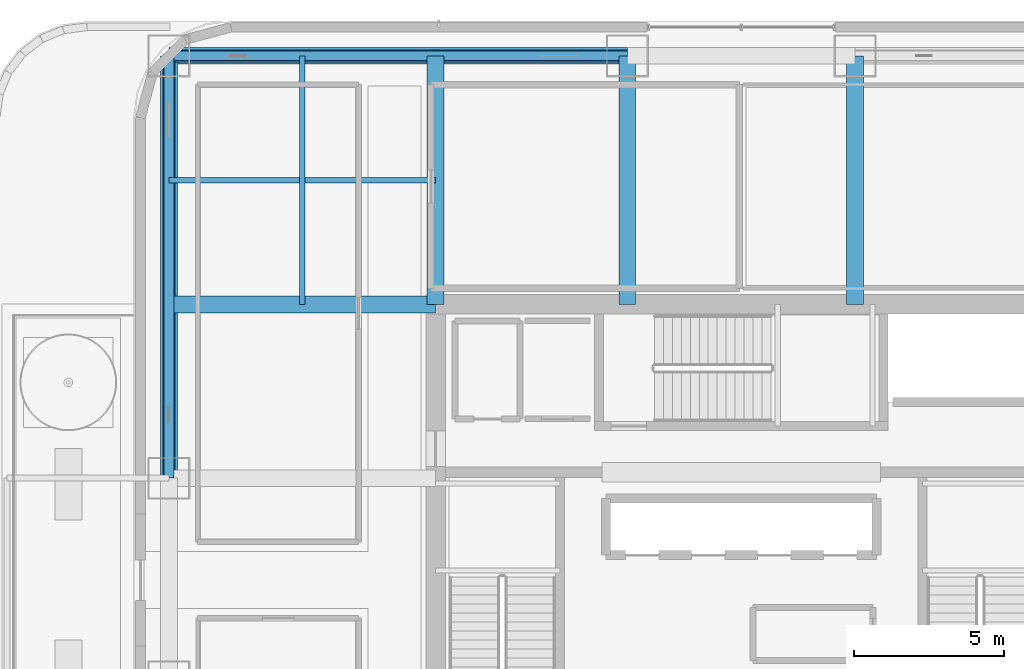
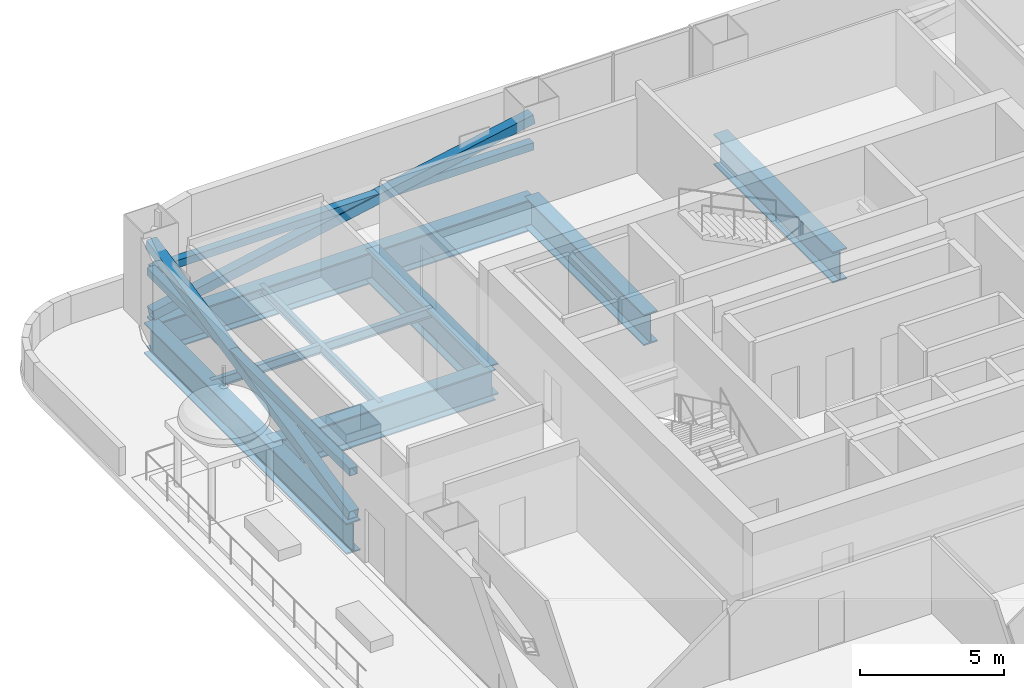
# One storey, part 5 of 27: 8 beams, 4 members.
"""IFC4 building model written with IfcOpenShell, lengths in metres."""

from ifc_helpers import new_model, si_unit, direction, frame, origin, origin_2d, place, context, subcontext, project, spatial, hollow_rectangle, i_section, extrude, material, material_profile, profile_set, type_object, element, save


model = new_model("IFC4")

# Units and contexts
model_context = context("Model", 3, precision=1e-05, world=origin(), true_north=direction((0.0, 1.0)))
body_context = subcontext(model_context, "Body", "Model", "MODEL_VIEW")
ifc_project = project(units=[si_unit("LENGTHUNIT", "METRE"), si_unit("AREAUNIT", "SQUARE_METRE"), si_unit("VOLUMEUNIT", "CUBIC_METRE"), si_unit("PLANEANGLEUNIT", "RADIAN"), si_unit("MASSUNIT", "GRAM", prefix="KILO")], contexts=[model_context])

# Site, building, storey
site_placement = place(None, origin())
site = spatial("IfcSite", under=ifc_project, at=site_placement, CompositionType="ELEMENT")
building_placement = place(site_placement, origin())
building = spatial("IfcBuilding", under=site, at=building_placement, Name="Punatoya Terracotta Tower", CompositionType="ELEMENT")
storey_placement = place(building_placement, frame((0.0, 0.0, 204.60009765625)))
storey = spatial("IfcBuildingStorey", under=building, at=storey_placement, Name="L48", CompositionType="ELEMENT", Elevation=204.60009765625)

# Beams
ifc_material_1 = material(Name="Steel S355", Category="steel")
ifc_material_profile_1 = material_profile(ifc_material_1, i_section(OverallWidth=0.179931640625, OverallDepth=0.39990234375, WebThickness=0.008544921875, FlangeThickness=0.013427734375, FilletRadius=0.01806640625, at=origin_2d()))
ifc_profile_set_1 = profile_set([ifc_material_profile_1], Name="Steel S355")
beam_type_1 = type_object("IfcBeamType", Name="BM-SEC-400", PredefinedType="JOIST", material=ifc_profile_set_1)
beam_1_placement = place(storey_placement, frame((-19.10009765625, 13.35009765625, -0.47998046875), z_axis=(1.0, 0.0, 0.0), x_axis=(0.0, 1.0, 0.0)))
element("IfcBeam", 1, at=beam_1_placement, inside=storey, type_object=beam_type_1, Name="BM-L48-SJN-1", PredefinedType="JOIST", context=body_context, shape_type="SweptSolid", body=[
    extrude(i_section(OverallWidth=0.179931640625, OverallDepth=0.39990234375, WebThickness=0.008544921875, FlangeThickness=0.013427734375, FilletRadius=0.01806640625, at=origin_2d()), origin(), (0.0, 0.0, 1.0), 8.900146484375),
])
beam_2_placement = place(storey_placement, frame((-14.64990234375, 9.199951171875, -0.47998046875), z_axis=(0.0, 1.0, 0.0), x_axis=(-1.0, 0.0, 0.0)))
element("IfcBeam", 2, at=beam_2_placement, inside=storey, type_object=beam_type_1, Name="BM-L48-SJW-2", PredefinedType="JOIST", context=body_context, shape_type="SweptSolid", body=[
    extrude(i_section(OverallWidth=0.179931640625, OverallDepth=0.39990234375, WebThickness=0.008544921875, FlangeThickness=0.013427734375, FilletRadius=0.01806640625, at=origin_2d()), origin(), (0.0, 0.0, 1.0), 8.300048828125),
])
ifc_material_2 = material(Name="Steel S460", Category="steel")
ifc_material_profile_2 = material_profile(ifc_material_2, i_section(OverallWidth=0.56005859375, OverallDepth=1.320068359375, WebThickness=0.035888671875, FlangeThickness=0.054931640625, FilletRadius=0.01806640625, at=origin_2d()))
ifc_profile_set_2 = profile_set([ifc_material_profile_2], Name="Steel S460")
beam_type_2 = type_object("IfcBeamType", Name="BM-TG-BLK", PredefinedType="BEAM", material=ifc_profile_set_2)
beam_3_placement = place(storey_placement, frame((-19.10009765625, 17.5, -0.940185546875), z_axis=(1.0, 0.0, 0.0), x_axis=(0.0, 1.0, 0.0)))
element("IfcBeam", 3, at=beam_3_placement, inside=storey, type_object=beam_type_2, Name="BM-L48-RG-N1", PredefinedType="BEAM", context=body_context, shape_type="SweptSolid", body=[
    extrude(i_section(OverallWidth=0.56005859375, OverallDepth=1.320068359375, WebThickness=0.035888671875, FlangeThickness=0.054931640625, FilletRadius=0.01806640625, at=origin_2d()), origin(), (0.0, 0.0, 1.0), 15.300048828125),
])
beam_4_placement = place(storey_placement, frame((-19.10009765625, 3.39990234375, -0.940185546875), z_axis=(0.0, 1.0, 0.0), x_axis=(-1.0, 0.0, 0.0)))
element("IfcBeam", 4, at=beam_4_placement, inside=storey, type_object=beam_type_2, Name="BM-L48-RG-W3", PredefinedType="BEAM", context=body_context, shape_type="SweptSolid", body=[
    extrude(i_section(OverallWidth=0.56005859375, OverallDepth=1.320068359375, WebThickness=0.035888671875, FlangeThickness=0.054931640625, FilletRadius=0.01806640625, at=origin_2d()), origin(), (0.0, 0.0, 1.0), 14.10009765625),
])
beam_5_placement = place(storey_placement, frame((-19.10009765625, 9.199951171875, -0.940185546875), z_axis=(1.0, 0.0, 0.0), x_axis=(0.0, 1.0, 0.0)))
element("IfcBeam", 5, at=beam_5_placement, inside=storey, type_object=beam_type_2, Name="BM-L48-PR-WN", PredefinedType="BEAM", context=body_context, shape_type="SweptSolid", body=[
    extrude(i_section(OverallWidth=0.56005859375, OverallDepth=1.320068359375, WebThickness=0.035888671875, FlangeThickness=0.054931640625, FilletRadius=0.01806640625, at=origin_2d()), origin(), (0.0, 0.0, 1.0), 8.900146484375),
])
for number, where, z_axis, x_axis, name in (
    (6, (-10.199951171875, 9.199951171875, -0.940185546875), (0.0, 1.0, 0.0), (-1.0, 0.0, 0.0), "BM-L48-PR-N1"),
    (7, (-3.800048828125, 9.199951171875, -0.940185546875), (0.0, 1.0, 0.0), (-1.0, 0.0, 0.0), "BM-L48-PR-N2"),
    (8, (3.800048828125, 9.199951171875, -0.940185546875), (0.0, 1.0, 0.0), (-1.0, 0.0, 0.0), "BM-L48-PR-N3"),
):
    element("IfcBeam", number, at=place(storey_placement, frame(where, z_axis=z_axis, x_axis=x_axis)), inside=storey, type_object=beam_type_2, Name=name, PredefinedType="BEAM", context=body_context, shape_type="SweptSolid", body=[
        extrude(i_section(OverallWidth=0.56005859375, OverallDepth=1.320068359375, WebThickness=0.035888671875, FlangeThickness=0.054931640625, FilletRadius=0.01806640625, at=origin_2d()), origin(), (0.0, 0.0, 1.0), 8.300048828125),
    ])

# Members
ifc_material_profile_3 = material_profile(ifc_material_2, hollow_rectangle(XDim=0.320068359375, YDim=0.320068359375, WallThickness=0.01806640625, at=origin_2d()))
ifc_profile_set_3 = profile_set([ifc_material_profile_3], Name="Steel S460")
member_type_1 = type_object("IfcMemberType", Name="MEM-CHD-320", PredefinedType="CHORD", material=ifc_profile_set_3)
member_1_placement = place(storey_placement, frame((-19.10009765625, 17.5, 1.849853515625), z_axis=(1.0, 0.0, 0.0), x_axis=(0.0, 1.0, 0.0)))
element("IfcMember", 9, at=member_1_placement, inside=storey, type_object=member_type_1, Name="L48 Exoskeleton Belt Truss Tie Chord N1", PredefinedType="CHORD", context=body_context, shape_type="SweptSolid", body=[
    extrude(hollow_rectangle(XDim=0.320068359375, YDim=0.320068359375, WallThickness=0.01806640625, at=origin_2d()), origin(), (0.0, 0.0, 1.0), 15.300048828125),
])
member_2_placement = place(storey_placement, frame((-19.10009765625, 3.39990234375, 1.849853515625), z_axis=(0.0, 1.0, 0.0), x_axis=(-1.0, 0.0, 0.0)))
element("IfcMember", 10, at=member_2_placement, inside=storey, type_object=member_type_1, Name="L48 Exoskeleton Belt Truss Tie Chord W3", PredefinedType="CHORD", context=body_context, shape_type="SweptSolid", body=[
    extrude(hollow_rectangle(XDim=0.320068359375, YDim=0.320068359375, WallThickness=0.01806640625, at=origin_2d()), origin(), (0.0, 0.0, 1.0), 14.10009765625),
])
ifc_material_profile_4 = material_profile(ifc_material_2, hollow_rectangle(XDim=0.39990234375, YDim=0.39990234375, WallThickness=0.02197265625, at=origin_2d()))
ifc_profile_set_4 = profile_set([ifc_material_profile_4], Name="Steel S460")
member_type_2 = type_object("IfcMemberType", Name="MEM-EXO-400", PredefinedType="BRACE", material=ifc_profile_set_4)
member_3_placement = place(storey_placement, frame((-19.10009765625, 17.5, 0.02001953125), z_axis=(0.981195428699, 0.0, 0.193016918173), x_axis=(0.0, 1.0, 0.0)))
element("IfcMember", 11, at=member_3_placement, inside=storey, type_object=member_type_2, Name="L48 Exoskeleton Belt Brace N1", PredefinedType="BRACE", context=body_context, shape_type="SweptSolid", body=[
    extrude(hollow_rectangle(XDim=0.39990234375, YDim=0.39990234375, WallThickness=0.02197265625, at=origin_2d()), origin(), (0.0, 0.0, 1.0), 15.59326171875),
])
member_4_placement = place(storey_placement, frame((-19.10009765625, 3.39990234375, 0.02001953125), z_axis=(0.0, 0.97796813644, 0.208754219379), x_axis=(-1.0, 0.0, 0.0)))
element("IfcMember", 12, at=member_4_placement, inside=storey, type_object=member_type_2, Name="L48 Exoskeleton Belt Brace W3", PredefinedType="BRACE", context=body_context, shape_type="SweptSolid", body=[
    extrude(hollow_rectangle(XDim=0.39990234375, YDim=0.39990234375, WallThickness=0.02197265625, at=origin_2d()), origin(), (0.0, 0.0, 1.0), 14.417724609375),
])

save(model, "model.ifc")
